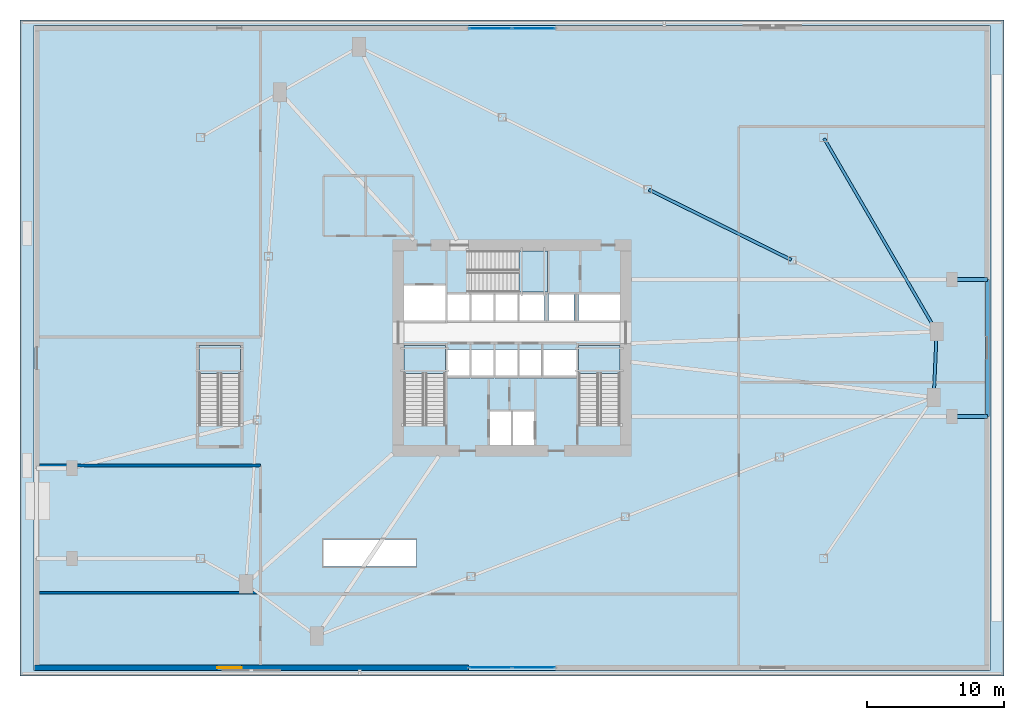
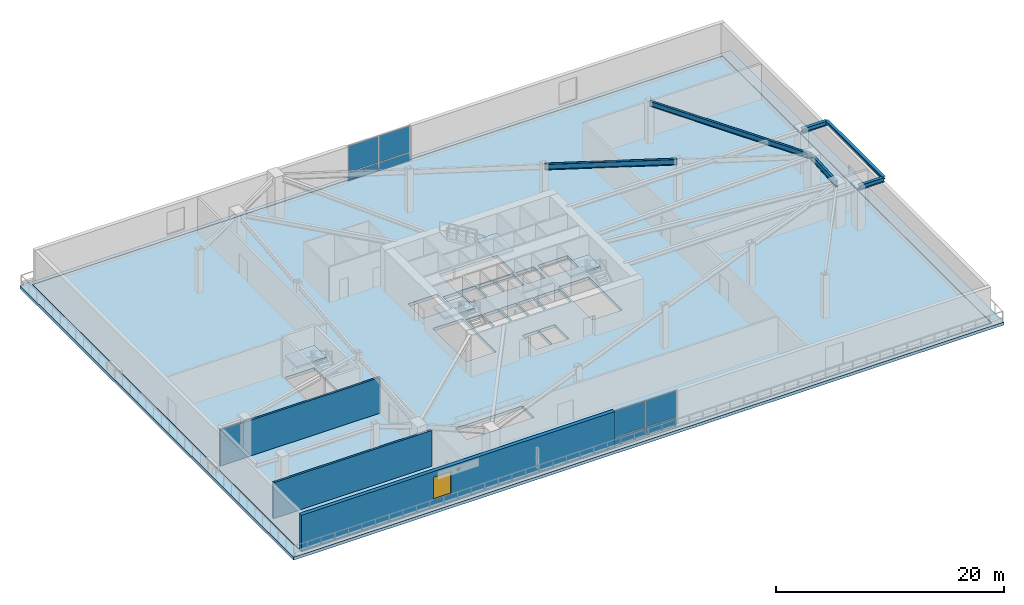
# One storey, part 5 of 14: 8 plates, 6 beams, 6 slabs, 3 walls, 1 window, 1 opening, 6 elements without a shape of their own.
"""IFC4 building model written with IfcOpenShell, lengths in metres."""

import ifcopenshell
import ifcopenshell.guid

model = None  # the IFC model being written
_history = None  # IfcOwnerHistory: only IFC2X3 demands one
_inside = {}  # id of a spatial element -> (the spatial element, [elements in it])
_under = {}  # id of a project, library or spatial element -> (it, [spatial elements below it])
_declared = {}  # id of a project -> (the project, [libraries it declares])
_typed = {}  # id of a type object -> (the type object, [elements of that type])
_made_of = {}  # id of a material, layer set ... -> (it, [elements and type objects made of it])


def new_model(schema):
    """Start an empty IFC model of exactly this schema.

    Asked for "IFC4X3", IfcOpenShell would pick the latest addendum, in which some entities
    have other attributes; the version numbers below select the first issue.
    IFC2X3 requires an IfcOwnerHistory on every rooted entity: one is made here for all.
    """
    global model, _history
    if schema == "IFC4X3":
        model = ifcopenshell.file(schema_version=(4, 3, 0, 0))
    else:
        model = ifcopenshell.file(schema=schema)
    _inside.clear()
    _under.clear()
    _declared.clear()
    _typed.clear()
    _made_of.clear()
    _history = None
    if model.schema == "IFC2X3":
        org = make("IfcOrganization", Name="unknown")
        user = make(
            "IfcPersonAndOrganization",
            ThePerson=make("IfcPerson", FamilyName="unknown"),
            TheOrganization=org,
        )
        app = make(
            "IfcApplication",
            ApplicationDeveloper=org,
            Version="unknown",
            ApplicationFullName="unknown",
            ApplicationIdentifier="unknown",
        )
        _history = make(
            "IfcOwnerHistory",
            OwningUser=user,
            OwningApplication=app,
            ChangeAction="ADDED",
            CreationDate=0,
        )
    return model


def make(cls, **values):
    """One entity of the class cls with the attributes given. An attribute that is None is left unset."""
    return model.create_entity(
        cls, **{name: value for name, value in values.items() if value is not None}
    )


def rooted(cls, **values):
    """An entity with a GlobalId (a new one), such as an element, a storey or a relation."""
    return make(cls, GlobalId=ifcopenshell.guid.new(), OwnerHistory=_history, **values)


def si_unit(unit_type, name, prefix=None):
    """IfcSIUnit, for example si_unit("LENGTHUNIT", "METRE", prefix="MILLI")."""
    return make("IfcSIUnit", UnitType=unit_type, Prefix=prefix, Name=name)


def assignment(units):
    """IfcUnitAssignment: the units of a project."""
    return None if units is None else make("IfcUnitAssignment", Units=units)


def point(xyz):
    """IfcCartesianPoint."""
    return None if xyz is None else make("IfcCartesianPoint", Coordinates=xyz)


def direction(xyz):
    """IfcDirection."""
    return None if xyz is None else make("IfcDirection", DirectionRatios=xyz)


def frame(location, z_axis=None, x_axis=None):
    """IfcAxis2Placement3D, a coordinate frame: its origin and axes. An axis left out is left unset."""
    return make(
        "IfcAxis2Placement3D",
        Location=point(location),
        Axis=direction(z_axis),
        RefDirection=direction(x_axis),
    )


def frame_2d(location, x_axis=None):
    """IfcAxis2Placement2D, a coordinate frame in the plane: its origin and x axis."""
    return make(
        "IfcAxis2Placement2D", Location=point(location), RefDirection=direction(x_axis)
    )


def origin():
    """The frame at (0, 0, 0) with its axes left unset."""
    return frame((0.0, 0.0, 0.0))


def origin_2d():
    """The frame at (0, 0) in the plane with its x axis left unset."""
    return frame_2d((0.0, 0.0))


def place(relative_to, where):
    """IfcLocalPlacement: puts the frame where relative to a parent placement (None: the world)."""
    return make(
        "IfcLocalPlacement", PlacementRelTo=relative_to, RelativePlacement=where
    )


def context(
    kind, dimensions, precision=None, world=None, true_north=None, identifier=None
):
    """IfcGeometricRepresentationContext, for example the 3D "Model" context."""
    return make(
        "IfcGeometricRepresentationContext",
        ContextIdentifier=identifier,
        ContextType=kind,
        CoordinateSpaceDimension=dimensions,
        Precision=precision,
        WorldCoordinateSystem=world,
        TrueNorth=true_north,
    )


def subcontext(parent, identifier, kind, view, scale=None):
    """IfcGeometricRepresentationSubContext, for example "Body" below "Model"."""
    return make(
        "IfcGeometricRepresentationSubContext",
        ContextIdentifier=identifier,
        ContextType=kind,
        ParentContext=parent,
        TargetScale=scale,
        TargetView=view,
    )


def project(units=None, contexts=None):
    """IfcProject with its units and contexts."""
    return rooted(
        "IfcProject",
        Name="project",
        RepresentationContexts=contexts,
        UnitsInContext=assignment(units),
    )


def spatial(cls, under=None, at=None, **own):
    """A site, building, storey or space (cls), placed at a placement, below another one or the project."""
    s = rooted(cls, ObjectPlacement=at, **own)
    if under is not None:
        _under.setdefault(under.id(), (under, []))[1].append(s)
    return s


def polyline(points):
    """IfcPolyline through the points."""
    return make("IfcPolyline", Points=[point(p) for p in points])


def profile(cls, at=None, kind="AREA", **sizes):
    """A parametric profile (cls). Its sizes go by their IFC names, for example OverallWidth=200.0."""
    return make(cls, ProfileType=kind, Position=at, **sizes)


def rectangle(**sizes):
    """IfcRectangleProfileDef."""
    return profile("IfcRectangleProfileDef", **sizes)


def i_section(**sizes):
    """IfcIShapeProfileDef."""
    return profile("IfcIShapeProfileDef", **sizes)


def outline(outer, holes=None, kind="AREA"):
    """IfcArbitraryClosedProfileDef: a profile drawn as a closed curve; with holes, ...WithVoids."""
    if holes is None:
        return make("IfcArbitraryClosedProfileDef", ProfileType=kind, OuterCurve=outer)
    return make(
        "IfcArbitraryProfileDefWithVoids",
        ProfileType=kind,
        OuterCurve=outer,
        InnerCurves=holes,
    )


def extrude(swept, where, along, depth):
    """IfcExtrudedAreaSolid: the profile swept, set in the frame where, extruded along a direction by depth."""
    return make(
        "IfcExtrudedAreaSolid",
        SweptArea=swept,
        Position=where,
        ExtrudedDirection=direction(along),
        Depth=depth,
    )


def shape(context_of_items, identifier, shape_type, items):
    """IfcShapeRepresentation: the items that make up one representation, for example the "Body"."""
    return make(
        "IfcShapeRepresentation",
        ContextOfItems=context_of_items,
        RepresentationIdentifier=identifier,
        RepresentationType=shape_type,
        Items=items,
    )


def source(mapping_origin, context_of_items, identifier, shape_type, items):
    """IfcRepresentationMap: a shape defined once, which mapped items show again and again."""
    return make(
        "IfcRepresentationMap",
        MappingOrigin=mapping_origin,
        MappedRepresentation=shape(context_of_items, identifier, shape_type, items),
    )


def transform(
    local_origin,
    x_axis=None,
    y_axis=None,
    z_axis=None,
    scale=None,
    scale2=None,
    scale3=None,
    uniform=True,
):
    """IfcCartesianTransformationOperator3D, or its non-uniform kind. x_axis, y_axis, z_axis: its Axis1, 2, 3."""
    if uniform:
        return make(
            "IfcCartesianTransformationOperator3D",
            Axis1=direction(x_axis),
            Axis2=direction(y_axis),
            LocalOrigin=point(local_origin),
            Scale=scale,
            Axis3=direction(z_axis),
        )
    return make(
        "IfcCartesianTransformationOperator3DnonUniform",
        Axis1=direction(x_axis),
        Axis2=direction(y_axis),
        LocalOrigin=point(local_origin),
        Scale=scale,
        Axis3=direction(z_axis),
        Scale2=scale2,
        Scale3=scale3,
    )


def mapped(mapping_source, mapping_target):
    """IfcMappedItem: shows the shape of a source again, moved by a transform."""
    return make(
        "IfcMappedItem", MappingSource=mapping_source, MappingTarget=mapping_target
    )


def material(Name=None, Category=None):
    """IfcMaterial."""
    return make("IfcMaterial", Name=Name, Category=Category)


def layer(
    of_material, thickness, ventilated=None, Name=None, Category=None, Priority=None
):
    """IfcMaterialLayer: one layer of a wall or slab, of a material (None: an air gap)."""
    return make(
        "IfcMaterialLayer",
        Material=of_material,
        LayerThickness=thickness,
        IsVentilated=ventilated,
        Name=Name,
        Category=Category,
        Priority=Priority,
    )


def layer_set(layers, Name=None):
    """IfcMaterialLayerSet."""
    return make("IfcMaterialLayerSet", MaterialLayers=layers, LayerSetName=Name)


def material_profile(
    of_material, cross_section, Name=None, Category=None, Priority=None
):
    """IfcMaterialProfile: a cross section and its material."""
    return make(
        "IfcMaterialProfile",
        Name=Name,
        Material=of_material,
        Profile=cross_section,
        Priority=Priority,
        Category=Category,
    )


def profile_set(profiles, Name=None, composite=None):
    """IfcMaterialProfileSet."""
    return make(
        "IfcMaterialProfileSet",
        Name=Name,
        MaterialProfiles=profiles,
        CompositeProfile=composite,
    )


def made_of(thing, what):
    """Note that an element or type object is made of a material, layer set ...; save() writes the relation."""
    if what is not None:
        _made_of.setdefault(what.id(), (what, []))[1].append(thing)
    return thing


def type_object(cls, material=None, **own):
    """A type object (cls), such as IfcWallType, which elements share."""
    return made_of(rooted(cls, **own), material)


def type_shapes(of_type, sources):
    """Give a type object the sources (RepresentationMaps) that its elements show as mapped items."""
    of_type.RepresentationMaps = sources


def element(
    cls,
    number,
    at=None,
    inside=None,
    cuts=None,
    type_object=None,
    material=None,
    context=None,
    identifier="Body",
    shape_type=None,
    held_by="IfcProductDefinitionShape",
    body=None,
    shapes=None,
    **own,
):
    """One element of the class cls, such as IfcWall. Its Tag is "e" and its number.

    at: its placement. inside: the storey or other place that contains it. cuts: it is an
    opening in that element (IfcRelVoidsElement). A single representation is given by context,
    identifier, shape_type and body (its items); several are given by shapes. held_by: the class
    of the entity that holds the representations. save() writes the other relations.
    """
    e = rooted(cls, Tag="e%d" % number, ObjectPlacement=at, **own)
    if body is not None:
        shapes = [shape(context, identifier, shape_type, body)]
    if shapes is not None:
        e.Representation = make(held_by, Representations=shapes)
    if inside is not None:
        _inside.setdefault(inside.id(), (inside, []))[1].append(e)
    if cuts is not None:
        rooted(
            "IfcRelVoidsElement", RelatingBuildingElement=cuts, RelatedOpeningElement=e
        )
    if type_object is not None:
        _typed.setdefault(type_object.id(), (type_object, []))[1].append(e)
    return made_of(e, material)


def fill(opening, filler):
    """IfcRelFillsElement: the door or window that sits in an opening."""
    return rooted(
        "IfcRelFillsElement",
        RelatingOpeningElement=opening,
        RelatedBuildingElement=filler,
    )


def aggregate(whole, parts):
    """IfcRelAggregates: a whole, such as a stair, and the parts it consists of."""
    return rooted("IfcRelAggregates", RelatingObject=whole, RelatedObjects=parts)


def save(model, path):
    """Write the relations noted so far, then the file.

    IfcRelAggregates (storeys below a building ...), IfcRelContainedInSpatialStructure (elements
    in a storey), IfcRelDefinesByType, IfcRelAssociatesMaterial and IfcRelDeclares: one each for
    every whole, place, type object, material and project.
    """
    for whole, parts in _under.values():
        aggregate(whole, parts)
    for where, things in _inside.values():
        rooted(
            "IfcRelContainedInSpatialStructure",
            RelatedElements=things,
            RelatingStructure=where,
        )
    for kind, things in _typed.values():
        rooted("IfcRelDefinesByType", RelatedObjects=things, RelatingType=kind)
    for what, things in _made_of.values():
        rooted("IfcRelAssociatesMaterial", RelatedObjects=things, RelatingMaterial=what)
    for by, libraries in _declared.values():
        rooted("IfcRelDeclares", RelatingContext=by, RelatedDefinitions=libraries)
    model.write(path)


model = new_model("IFC4")

# Units and contexts
model_context = context("Model", 3, precision=1e-05, world=origin(), true_north=direction((0.0, 1.0)))
body_context = subcontext(model_context, "Body", "Model", "MODEL_VIEW")
ifc_project = project(units=[si_unit("LENGTHUNIT", "METRE"), si_unit("AREAUNIT", "SQUARE_METRE"), si_unit("VOLUMEUNIT", "CUBIC_METRE"), si_unit("PLANEANGLEUNIT", "RADIAN"), si_unit("MASSUNIT", "GRAM", prefix="KILO")], contexts=[model_context])

# Site, building, storey
site_placement = place(None, origin())
site = spatial("IfcSite", under=ifc_project, at=site_placement, CompositionType="ELEMENT")
building_placement = place(site_placement, origin())
building = spatial("IfcBuilding", under=site, at=building_placement, Name="Olszyna Solenne Hotel", CompositionType="ELEMENT")
storey_placement = place(building_placement, frame((0.0, 0.0, 5.39990234375)))
storey = spatial("IfcBuildingStorey", under=building, at=storey_placement, Name="L01", CompositionType="ELEMENT", Elevation=5.39990234375)

# Beams
ifc_material_1 = material(Name="Steel S355J2", Category="steel")
ifc_material_profile_1 = material_profile(ifc_material_1, i_section(OverallWidth=0.2099609375, OverallDepth=0.550048828125, WebThickness=0.010986328125, FlangeThickness=0.01708984375, at=origin_2d()), Name="IPE 550", Category="load-bearing")
ifc_profile_set_1 = profile_set([ifc_material_profile_1], Name="Steel S355J2")
beam_type_1 = type_object("IfcBeamType", Name="BM-F2", PredefinedType="BEAM", material=ifc_profile_set_1)
shared_shape_1 = source(origin(), body_context, "Body", "SweptSolid", [
    extrude(i_section(OverallWidth=0.2099609375, OverallDepth=0.550048828125, WebThickness=0.010986328125, FlangeThickness=0.01708984375, at=origin_2d()), origin(), (0.0, 0.0, 1.0), 16.271484375),
])
beam_1_placement = place(storey_placement, frame((60.84033203125, 41.930908203125, 4.205078125), z_axis=(0.503453956375, -0.864022056322, 0.0), x_axis=(0.864022056322, 0.503453956375, 0.0)))
element("IfcBeam", 1, at=beam_1_placement, inside=storey, type_object=beam_type_1, Name="Podium terrace girder BM-F2 B-L01-0088", PredefinedType="BEAM", context=body_context, shape_type="MappedRepresentation", body=[
    mapped(shared_shape_1, transform((0.0, 0.0, 0.0), x_axis=(1.0, 0.0, 0.0), y_axis=(0.0, 1.0, 0.0), z_axis=(0.0, 0.0, 1.0), scale=1.0)),
])
ifc_material_profile_2 = material_profile(ifc_material_1, i_section(OverallWidth=0.300048828125, OverallDepth=0.31005859375, WebThickness=0.009033203125, FlangeThickness=0.015380859375, at=origin_2d()), Name="HEA 320", Category="load-bearing")
ifc_profile_set_2 = profile_set([ifc_material_profile_2], Name="Steel S355J2")
beam_type_2 = type_object("IfcBeamType", Name="BM-G3", PredefinedType="BEAM", material=ifc_profile_set_2)
shared_shape_2 = source(origin(), body_context, "Body", "SweptSolid", [
    extrude(i_section(OverallWidth=0.300048828125, OverallDepth=0.31005859375, WebThickness=0.009033203125, FlangeThickness=0.015380859375, at=origin_2d()), origin(), (0.0, 0.0, 1.0), 10.0),
])
beam_2_placement = place(storey_placement, frame((72.800048828125, 21.60009765625, 4.3251953125), z_axis=(0.0, 1.0, 0.0), x_axis=(-1.0, 0.0, 0.0)))
element("IfcBeam", 2, at=beam_2_placement, inside=storey, type_object=beam_type_2, Name="Terrace East rim beam BM-G3 B-L01-0084", PredefinedType="BEAM", context=body_context, shape_type="MappedRepresentation", body=[
    mapped(shared_shape_2, transform((0.0, 0.0, 0.0), x_axis=(1.0, 0.0, 0.0), y_axis=(0.0, 1.0, 0.0), z_axis=(0.0, 0.0, 1.0), scale=1.0)),
])
ifc_material_profile_3 = material_profile(ifc_material_1, i_section(OverallWidth=0.219970703125, OverallDepth=0.60009765625, WebThickness=0.011962890625, FlangeThickness=0.01904296875, at=origin_2d()), Name="IPE 600", Category="load-bearing")
ifc_profile_set_3 = profile_set([ifc_material_profile_3], Name="Steel S355J2")
beam_type_3 = type_object("IfcBeamType", Name="BM-F1", PredefinedType="BEAM", material=ifc_profile_set_3)
shared_shape_3 = source(origin(), body_context, "Body", "SweptSolid", [
    extrude(i_section(OverallWidth=0.219970703125, OverallDepth=0.60009765625, WebThickness=0.011962890625, FlangeThickness=0.01904296875, at=origin_2d()), origin(), (0.0, 0.0, 1.0), 4.6630859375),
])
beam_3_placement = place(storey_placement, frame((68.86181640625, 23.064453125, 4.18017578125), z_axis=(0.044450544341, 0.999011586073, 0.0), x_axis=(-0.999011586073, 0.044450544341, 0.0)))
element("IfcBeam", 3, at=beam_3_placement, inside=storey, type_object=beam_type_3, Name="Podium ring girder BM-F1 B-L01-0063", PredefinedType="BEAM", context=body_context, shape_type="MappedRepresentation", body=[
    mapped(shared_shape_3, transform((0.0, 0.0, 0.0), x_axis=(1.0, 0.0, 0.0), y_axis=(0.0, 1.0, 0.0), z_axis=(0.0, 0.0, 1.0), scale=1.0)),
])
shared_shape_4 = source(origin(), body_context, "Body", "SweptSolid", [
    extrude(i_section(OverallWidth=0.219970703125, OverallDepth=0.60009765625, WebThickness=0.011962890625, FlangeThickness=0.01904296875, at=origin_2d()), origin(), (0.0, 0.0, 1.0), 11.6201171875),
])
beam_4_placement = place(storey_placement, frame((58.434814453125, 33.048095703125, 4.18017578125), z_axis=(-0.896896785097, 0.442239931352, 0.0), x_axis=(-0.442239931352, -0.896896785097, 0.0)))
element("IfcBeam", 4, at=beam_4_placement, inside=storey, type_object=beam_type_3, Name="Podium ring girder BM-F1 BRG-L01-22", PredefinedType="BEAM", context=body_context, shape_type="MappedRepresentation", body=[
    mapped(shared_shape_4, transform((0.0, 0.0, 0.0), x_axis=(1.0, 0.0, 0.0), y_axis=(0.0, 1.0, 0.0), z_axis=(0.0, 0.0, 1.0), scale=1.0)),
])
ifc_material_profile_4 = material_profile(ifc_material_1, i_section(OverallWidth=0.300048828125, OverallDepth=0.489990234375, WebThickness=0.011962890625, FlangeThickness=0.02294921875, at=origin_2d()), Name="HEA 500", Category="load-bearing")
ifc_profile_set_4 = profile_set([ifc_material_profile_4], Name="Steel S355J2")
beam_type_4 = type_object("IfcBeamType", Name="BM-G1", PredefinedType="BEAM", material=ifc_profile_set_4)
shared_shape_5 = source(origin(), body_context, "Body", "SweptSolid", [
    extrude(i_section(OverallWidth=0.300048828125, OverallDepth=0.489990234375, WebThickness=0.011962890625, FlangeThickness=0.02294921875, at=origin_2d()), origin(), (0.0, 0.0, 1.0), 2.5400390625),
])
for number, where, z_axis, x_axis, name in (
    (5, (70.260009765625, 21.60009765625, 4.235107421875), (1.0, 0.0, 0.0), (0.0, 1.0, 0.0), "Terrace East overhang girder BM-G1 B-L01-0081"),
    (6, (70.260009765625, 31.60009765625, 4.235107421875), (1.0, 0.0, 0.0), (0.0, 1.0, 0.0), "Terrace East overhang girder BM-G1 B-L01-0083"),
):
    element("IfcBeam", number, at=place(storey_placement, frame(where, z_axis=z_axis, x_axis=x_axis)), inside=storey, type_object=beam_type_4, Name=name, PredefinedType="BEAM", context=body_context, shape_type="MappedRepresentation", body=[
        mapped(shared_shape_5, transform((0.0, 0.0, 0.0), x_axis=(1.0, 0.0, 0.0), y_axis=(0.0, 1.0, 0.0), z_axis=(0.0, 0.0, 1.0), scale=1.0)),
    ])

# Stair, slab
ifc_material_2 = material(Name="Concrete C40/50", Category="concrete")
stair_type_1 = type_object("IfcStairType", Name="STR-C1", PredefinedType="TWO_QUARTER_WINDING_STAIR", material=ifc_material_2)
stair_1_placement = place(storey_placement, origin())
stair_1 = element("IfcStair", 7, at=stair_1_placement, inside=storey, type_object=stair_type_1, Name="L01 ST1", PredefinedType="TWO_QUARTER_WINDING_STAIR")
ifc_layer_1 = layer(ifc_material_2, 0.18994140625, Name="Concrete C40/50")
ifc_layer_set_1 = layer_set([ifc_layer_1], Name="Concrete C40/50")
slab_type_1 = type_object("IfcSlabType", Name="SL-LN190", PredefinedType="LANDING", material=ifc_layer_set_1)
slab_1_placement = place(storey_placement, frame((0.0, 0.0, 2.2001953125)))
slab_1 = element("IfcSlab", 8, at=slab_1_placement, type_object=slab_type_1, Name="ST1 landing 1", PredefinedType="LANDING", context=body_context, shape_type="SweptSolid", body=[
    extrude(outline(polyline([(33.1201171875, 24.719970703125), (33.1201171875, 26.800048828125), (30.10009765625, 26.800048828125), (30.10009765625, 24.719970703125), (33.1201171875, 24.719970703125)])), origin(), (0.0, 0.0, 1.0), 0.199951171875),
])
aggregate(stair_1, [slab_1])

stair_2_placement = place(storey_placement, origin())
stair_2 = element("IfcStair", 9, at=stair_2_placement, inside=storey, type_object=stair_type_1, Name="L01 ST2", PredefinedType="TWO_QUARTER_WINDING_STAIR")
slab_2_placement = place(storey_placement, frame((0.0, 0.0, 2.2001953125)))
slab_2 = element("IfcSlab", 10, at=slab_2_placement, type_object=slab_type_1, Name="ST2 landing 1", PredefinedType="LANDING", context=body_context, shape_type="SweptSolid", body=[
    extrude(outline(polyline([(45.89990234375, 24.719970703125), (45.89990234375, 26.800048828125), (42.8798828125, 26.800048828125), (42.8798828125, 24.719970703125), (45.89990234375, 24.719970703125)])), origin(), (0.0, 0.0, 1.0), 0.199951171875),
])
aggregate(stair_2, [slab_2])

stair_3_placement = place(storey_placement, origin())
stair_3 = element("IfcStair", 11, at=stair_3_placement, inside=storey, type_object=stair_type_1, Name="L01 ST3", PredefinedType="TWO_QUARTER_WINDING_STAIR")
slab_3_placement = place(storey_placement, frame((0.0, 0.0, 2.2001953125)))
slab_3 = element("IfcSlab", 12, at=slab_3_placement, type_object=slab_type_1, Name="ST3 landing 1", PredefinedType="LANDING", context=body_context, shape_type="SweptSolid", body=[
    extrude(outline(polyline([(38.5, 30.679931640625), (40.580078125, 30.679931640625), (40.580078125, 33.699951171875), (38.5, 33.699951171875), (38.5, 30.679931640625)])), origin(), (0.0, 0.0, 1.0), 0.199951171875),
])
aggregate(stair_3, [slab_3])

stair_type_2 = type_object("IfcStairType", Name="STR-P1", PredefinedType="TWO_QUARTER_WINDING_STAIR", material=ifc_material_2)
stair_4_placement = place(storey_placement, origin())
stair_4 = element("IfcStair", 13, at=stair_4_placement, inside=storey, type_object=stair_type_2, Name="L01 ST4", PredefinedType="TWO_QUARTER_WINDING_STAIR")
slab_4_placement = place(storey_placement, frame((0.0, 0.0, 2.2001953125)))
slab_4 = element("IfcSlab", 14, at=slab_4_placement, type_object=slab_type_1, Name="ST4 landing 1", PredefinedType="LANDING", context=body_context, shape_type="SweptSolid", body=[
    extrude(outline(polyline([(18.1201171875, 24.719970703125), (18.1201171875, 26.800048828125), (15.10009765625, 26.800048828125), (15.10009765625, 24.719970703125), (18.1201171875, 24.719970703125)])), origin(), (0.0, 0.0, 1.0), 0.199951171875),
])
aggregate(stair_4, [slab_4])

# Slabs
ifc_material_3 = material(Name="Concrete C50/60", Category="concrete")
ifc_layer_2 = layer(ifc_material_3, 0.320068359375, Name="Concrete C50/60")
ifc_layer_set_2 = layer_set([ifc_layer_2], Name="Concrete C50/60")
slab_type_2 = type_object("IfcSlabType", Name="SL-PD320", PredefinedType="FLOOR", material=ifc_layer_set_2)
slab_5_placement = place(storey_placement, frame((0.0, 0.0, -0.31982421875)))
element("IfcSlab", 15, at=slab_5_placement, inside=storey, type_object=slab_type_2, Name="Floor slab SL-PD320 SL-L01-01", PredefinedType="FLOOR", context=body_context, shape_type="SweptSolid", body=[
    extrude(outline(polyline([(3.050048828125, 3.02001953125), (72.949951171875, 3.02001953125), (72.949951171875, 50.179931640625), (3.050048828125, 50.179931640625), (3.050048828125, 3.02001953125)]), holes=[polyline([(30.10009765625, 20.949951171875), (33.1201171875, 20.949951171875), (33.1201171875, 26.800048828125), (30.10009765625, 26.800048828125), (30.10009765625, 20.949951171875)]), polyline([(42.8798828125, 20.949951171875), (45.89990234375, 20.949951171875), (45.89990234375, 26.800048828125), (42.8798828125, 26.800048828125), (42.8798828125, 20.949951171875)]), polyline([(34.72998046875, 30.679931640625), (40.580078125, 30.679931640625), (40.580078125, 33.699951171875), (34.72998046875, 33.699951171875), (34.72998046875, 30.679931640625)]), polyline([(15.10009765625, 20.949951171875), (18.1201171875, 20.949951171875), (18.1201171875, 26.800048828125), (15.10009765625, 26.800048828125), (15.10009765625, 20.949951171875)]), polyline([(36.340087890625, 19.5), (37.9599609375, 19.5), (37.9599609375, 21.9599609375), (36.340087890625, 21.9599609375), (36.340087890625, 19.5)]), polyline([(38.0400390625, 19.5), (39.659912109375, 19.5), (39.659912109375, 21.9599609375), (38.0400390625, 21.9599609375), (38.0400390625, 19.5)]), polyline([(30.10009765625, 28.60009765625), (33.1201171875, 28.60009765625), (33.1201171875, 31.159912109375), (30.10009765625, 31.159912109375), (30.10009765625, 28.60009765625)]), polyline([(33.280029296875, 24.360107421875), (34.89990234375, 24.360107421875), (34.89990234375, 26.5), (33.280029296875, 26.5), (33.280029296875, 24.360107421875)]), polyline([(35.030029296875, 24.360107421875), (36.64990234375, 24.360107421875), (36.64990234375, 26.5), (35.030029296875, 26.5), (35.030029296875, 24.360107421875)]), polyline([(36.780029296875, 24.360107421875), (38.39990234375, 24.360107421875), (38.39990234375, 26.5), (36.780029296875, 26.5), (36.780029296875, 24.360107421875)]), polyline([(38.530029296875, 24.360107421875), (40.14990234375, 24.360107421875), (40.14990234375, 26.5), (38.530029296875, 26.5), (38.530029296875, 24.360107421875)]), polyline([(40.280029296875, 24.360107421875), (42.719970703125, 24.360107421875), (42.719970703125, 26.5), (40.280029296875, 26.5), (40.280029296875, 24.360107421875)]), polyline([(33.280029296875, 28.60009765625), (34.89990234375, 28.60009765625), (34.89990234375, 30.550048828125), (33.280029296875, 30.550048828125), (33.280029296875, 28.60009765625)]), polyline([(35.030029296875, 28.60009765625), (36.64990234375, 28.60009765625), (36.64990234375, 30.550048828125), (35.030029296875, 30.550048828125), (35.030029296875, 28.60009765625)]), polyline([(36.780029296875, 28.60009765625), (38.39990234375, 28.60009765625), (38.39990234375, 30.550048828125), (36.780029296875, 30.550048828125), (36.780029296875, 28.60009765625)]), polyline([(38.530029296875, 28.60009765625), (40.389892578125, 28.60009765625), (40.389892578125, 30.550048828125), (38.530029296875, 30.550048828125), (38.530029296875, 28.60009765625)]), polyline([(40.659912109375, 28.60009765625), (42.52001953125, 28.60009765625), (42.52001953125, 30.550048828125), (40.659912109375, 30.550048828125), (40.659912109375, 28.60009765625)]), polyline([(42.8798828125, 28.60009765625), (45.89990234375, 28.60009765625), (45.89990234375, 30.550048828125), (42.8798828125, 30.550048828125), (42.8798828125, 28.60009765625)]), polyline([(24.199951171875, 10.60009765625), (31.0, 10.60009765625), (31.0, 12.60009765625), (24.199951171875, 12.60009765625), (24.199951171875, 10.60009765625)])]), origin(), (0.0, 0.0, 1.0), 0.31982421875),
])
ifc_material_4 = material(Name="Concrete C45/55", Category="concrete")
ifc_layer_3 = layer(ifc_material_4, 0.239990234375, Name="Concrete C45/55")
ifc_layer_set_3 = layer_set([ifc_layer_3], Name="Concrete C45/55")
slab_type_3 = type_object("IfcSlabType", Name="SL-TER240", PredefinedType="FLOOR", material=ifc_layer_set_3)
slab_6_placement = place(storey_placement, frame((0.0, 0.0, -0.31982421875)))
element("IfcSlab", 16, at=slab_6_placement, inside=storey, type_object=slab_type_3, Name="Cascading planted garden-terrace slab SL-L01-TER1", PredefinedType="FLOOR", context=body_context, shape_type="SweptSolid", body=[
    extrude(outline(polyline([(2.0, 2.60009765625), (74.0, 2.60009765625), (74.0, 50.60009765625), (2.0, 50.60009765625), (2.0, 2.60009765625)]), holes=[polyline([(3.02001953125, 3.01708984375), (3.0205078125, 3.01416015625), (3.021240234375, 3.01123046875), (3.022216796875, 3.008544921875), (3.0234375, 3.005859375), (3.025146484375, 3.00341796875), (3.02685546875, 3.0009765625), (3.02880859375, 2.998779296875), (3.031005859375, 2.996826171875), (3.033203125, 2.9951171875), (3.035888671875, 2.993408203125), (3.03857421875, 2.9921875), (3.041259765625, 2.9912109375), (3.044189453125, 2.990478515625), (3.047119140625, 2.989990234375), (3.050048828125, 2.989990234375), (72.949951171875, 2.989990234375), (72.952880859375, 2.989990234375), (72.955810546875, 2.990478515625), (72.958740234375, 2.9912109375), (72.96142578125, 2.9921875), (72.964111328125, 2.993408203125), (72.966796875, 2.9951171875), (72.968994140625, 2.996826171875), (72.97119140625, 2.998779296875), (72.97314453125, 3.0009765625), (72.974853515625, 3.00341796875), (72.9765625, 3.005859375), (72.977783203125, 3.008544921875), (72.978759765625, 3.01123046875), (72.9794921875, 3.01416015625), (72.97998046875, 3.01708984375), (72.97998046875, 3.02001953125), (72.97998046875, 50.179931640625), (72.97998046875, 50.182861328125), (72.9794921875, 50.185791015625), (72.978759765625, 50.188720703125), (72.977783203125, 50.19140625), (72.9765625, 50.194091796875), (72.974853515625, 50.19677734375), (72.97314453125, 50.198974609375), (72.97119140625, 50.201171875), (72.968994140625, 50.203125), (72.966796875, 50.204833984375), (72.964111328125, 50.20654296875), (72.96142578125, 50.207763671875), (72.958740234375, 50.208740234375), (72.955810546875, 50.20947265625), (72.952880859375, 50.2099609375), (72.949951171875, 50.2099609375), (3.050048828125, 50.2099609375), (3.047119140625, 50.2099609375), (3.044189453125, 50.20947265625), (3.041259765625, 50.208740234375), (3.03857421875, 50.207763671875), (3.035888671875, 50.20654296875), (3.033203125, 50.204833984375), (3.031005859375, 50.203125), (3.02880859375, 50.201171875), (3.02685546875, 50.198974609375), (3.025146484375, 50.19677734375), (3.0234375, 50.194091796875), (3.022216796875, 50.19140625), (3.021240234375, 50.188720703125), (3.0205078125, 50.185791015625), (3.02001953125, 50.182861328125), (3.02001953125, 50.179931640625), (3.02001953125, 3.02001953125), (3.02001953125, 3.01708984375)])]), origin(), (0.0, 0.0, 1.0), 0.31982421875),
])

# Curtain wall, plates
ifc_material_5 = material(Name="Anodised bronze aluminium", Category="aluminium")
curtain_wall_type = type_object("IfcCurtainWallType", Name="CW-SYS-1", PredefinedType="NOTDEFINED", material=ifc_material_5)
curtain_wall_1_placement = place(storey_placement, origin())
curtain_wall_1 = element("IfcCurtainWall", 17, at=curtain_wall_1_placement, inside=storey, type_object=curtain_wall_type, Name="Unitised curtain wall CW-SYS-1 CW-L01-01", PredefinedType="NOTDEFINED")
ifc_material_6 = material(Name="Terracotta cladding", Category="masonry")
plate_type_1 = type_object("IfcPlateType", Name="PN-SP1", PredefinedType="CURTAIN_PANEL", material=ifc_material_6)
shared_shape_6 = source(origin(), body_context, "Body", "SweptSolid", [
    extrude(rectangle(XDim=3.080078125, YDim=0.048095703125, at=origin_2d()), origin(), (0.0, 0.0, 1.0), 0.83740234375),
])
plate_1_placement = place(storey_placement, frame((36.419921875, 3.2099609375, 0.0751953125), z_axis=(0.0, 0.0, 1.0), x_axis=(1.0, 0.0, 0.0)))
plate_1 = element("IfcPlate", 18, at=plate_1_placement, type_object=plate_type_1, Name="Curtain-wall panel PN-SP1 CP-L01-01-01", PredefinedType="CURTAIN_PANEL", context=body_context, shape_type="MappedRepresentation", body=[
    mapped(shared_shape_6, transform((0.0, 0.0, 0.0), x_axis=(1.0, 0.0, 0.0), y_axis=(0.0, 1.0, 0.0), z_axis=(0.0, 0.0, 1.0), scale=1.0)),
])
plate_2_placement = place(storey_placement, frame((39.580078125, 3.2099609375, 0.0751953125), z_axis=(0.0, 0.0, 1.0), x_axis=(1.0, 0.0, 0.0)))
plate_2 = element("IfcPlate", 19, at=plate_2_placement, type_object=plate_type_1, Name="Curtain-wall panel PN-SP1 CP-L01-01-03", PredefinedType="CURTAIN_PANEL", context=body_context, shape_type="MappedRepresentation", body=[
    mapped(shared_shape_6, transform((0.0, 0.0, 0.0), x_axis=(1.0, 0.0, 0.0), y_axis=(0.0, 1.0, 0.0), z_axis=(0.0, 0.0, 1.0), scale=1.0)),
])

curtain_wall_2_placement = place(storey_placement, origin())
curtain_wall_2 = element("IfcCurtainWall", 20, at=curtain_wall_2_placement, inside=storey, type_object=curtain_wall_type, Name="Unitised curtain wall CW-SYS-1 CW-L01-02", PredefinedType="NOTDEFINED")
plate_3_placement = place(storey_placement, frame((36.419921875, 49.989990234375, 0.0751953125), z_axis=(0.0, 0.0, 1.0), x_axis=(1.0, 0.0, 0.0)))
plate_3 = element("IfcPlate", 21, at=plate_3_placement, type_object=plate_type_1, Name="Curtain-wall panel PN-SP1 CP-L01-02-01", PredefinedType="CURTAIN_PANEL", context=body_context, shape_type="MappedRepresentation", body=[
    mapped(shared_shape_6, transform((0.0, 0.0, 0.0), x_axis=(1.0, 0.0, 0.0), y_axis=(0.0, 1.0, 0.0), z_axis=(0.0, 0.0, 1.0), scale=1.0)),
])
plate_4_placement = place(storey_placement, frame((39.580078125, 49.989990234375, 0.0751953125), z_axis=(0.0, 0.0, 1.0), x_axis=(1.0, 0.0, 0.0)))
plate_4 = element("IfcPlate", 22, at=plate_4_placement, type_object=plate_type_1, Name="Curtain-wall panel PN-SP1 CP-L01-02-03", PredefinedType="CURTAIN_PANEL", context=body_context, shape_type="MappedRepresentation", body=[
    mapped(shared_shape_6, transform((0.0, 0.0, 0.0), x_axis=(1.0, 0.0, 0.0), y_axis=(0.0, 1.0, 0.0), z_axis=(0.0, 0.0, 1.0), scale=1.0)),
])

# Plate
ifc_material_7 = material(Name="Low-E triple glazing", Category="glass")
plate_type_2 = type_object("IfcPlateType", Name="PN-GL2", PredefinedType="CURTAIN_PANEL", material=ifc_material_7)
shared_shape_7 = source(origin(), body_context, "Body", "SweptSolid", [
    extrude(rectangle(XDim=3.080078125, YDim=0.048095703125, at=origin_2d()), origin(), (0.0, 0.0, 1.0), 2.8095703125),
])
plate_5_placement = place(storey_placement, frame((36.419921875, 3.2099609375, 0.987548828125), z_axis=(0.0, 0.0, 1.0), x_axis=(1.0, 0.0, 0.0)))
plate_5 = element("IfcPlate", 23, at=plate_5_placement, type_object=plate_type_2, Name="Curtain-wall panel PN-GL2 CP-L01-01-02", PredefinedType="CURTAIN_PANEL", context=body_context, shape_type="MappedRepresentation", body=[
    mapped(shared_shape_7, transform((0.0, 0.0, 0.0), x_axis=(1.0, 0.0, 0.0), y_axis=(0.0, 1.0, 0.0), z_axis=(0.0, 0.0, 1.0), scale=1.0)),
])

plate_6_placement = place(storey_placement, frame((39.580078125, 3.2099609375, 0.987548828125), z_axis=(0.0, 0.0, 1.0), x_axis=(1.0, 0.0, 0.0)))
plate_6 = element("IfcPlate", 24, at=plate_6_placement, type_object=plate_type_2, Name="Curtain-wall panel PN-GL2 CP-L01-01-04", PredefinedType="CURTAIN_PANEL", context=body_context, shape_type="MappedRepresentation", body=[
    mapped(shared_shape_7, transform((0.0, 0.0, 0.0), x_axis=(1.0, 0.0, 0.0), y_axis=(0.0, 1.0, 0.0), z_axis=(0.0, 0.0, 1.0), scale=1.0)),
])

aggregate(curtain_wall_1, [plate_1, plate_5, plate_2, plate_6])

plate_7_placement = place(storey_placement, frame((36.419921875, 49.989990234375, 0.987548828125), z_axis=(0.0, 0.0, 1.0), x_axis=(1.0, 0.0, 0.0)))
plate_7 = element("IfcPlate", 25, at=plate_7_placement, type_object=plate_type_2, Name="Curtain-wall panel PN-GL2 CP-L01-02-02", PredefinedType="CURTAIN_PANEL", context=body_context, shape_type="MappedRepresentation", body=[
    mapped(shared_shape_7, transform((0.0, 0.0, 0.0), x_axis=(1.0, 0.0, 0.0), y_axis=(0.0, 1.0, 0.0), z_axis=(0.0, 0.0, 1.0), scale=1.0)),
])

plate_8_placement = place(storey_placement, frame((39.580078125, 49.989990234375, 0.987548828125), z_axis=(0.0, 0.0, 1.0), x_axis=(1.0, 0.0, 0.0)))
plate_8 = element("IfcPlate", 26, at=plate_8_placement, type_object=plate_type_2, Name="Curtain-wall panel PN-GL2 CP-L01-02-04", PredefinedType="CURTAIN_PANEL", context=body_context, shape_type="MappedRepresentation", body=[
    mapped(shared_shape_7, transform((0.0, 0.0, 0.0), x_axis=(1.0, 0.0, 0.0), y_axis=(0.0, 1.0, 0.0), z_axis=(0.0, 0.0, 1.0), scale=1.0)),
])

aggregate(curtain_wall_2, [plate_3, plate_7, plate_4, plate_8])

# Wall, opening, window
ifc_material_8 = material(Name="Terracotta cladding on precast concrete C45/55", Category="masonry")
ifc_layer_4 = layer(ifc_material_8, 0.3798828125, Name="Terracotta cladding on precast concrete C45/55")
ifc_layer_set_4 = layer_set([ifc_layer_4], Name="Terracotta cladding on precast concrete C45/55")
wall_type_1 = type_object("IfcWallType", Name="WL-EX380", PredefinedType="SOLIDWALL", material=ifc_layer_set_4)
wall_1_placement = place(storey_placement, frame((34.800048828125, 3.2099609375, 0.0), z_axis=(0.0, 0.0, 1.0), x_axis=(-1.0, 0.0, 0.0)))
wall_1 = element("IfcWall", 27, at=wall_1_placement, inside=storey, type_object=wall_type_1, Name="Podium terracotta-precast exterior wall EW-L01-SW", PredefinedType="SOLIDWALL", context=body_context, shape_type="SweptSolid", body=[
    extrude(rectangle(XDim=31.75, YDim=0.3798828125, at=frame_2d((15.875, 0.0))), origin(), (0.0, 0.0, 1.0), 3.8720703125),
])
opening_placement = place(wall_1_placement, frame((16.574951171875, 0.0, 0.85009765625)))
opening = element("IfcOpeningElement", 28, at=opening_placement, cuts=wall_1, Name="Opening WN-L01-006", PredefinedType="OPENING", context=body_context, shape_type="SweptSolid", body=[
    extrude(rectangle(XDim=1.800048828125, YDim=2.39990234375, at=frame_2d((0.89990234375, 1.199951171875))), frame((0.0, 0.199951171875, 0.0), z_axis=(0.0, -1.0, 0.0), x_axis=(1.0, 0.0, 0.0)), (0.0, 0.0, 1.0), 0.39990234375),
])
window_type = type_object("IfcWindowType", Name="WN-PD2", PartitioningType="SINGLE_PANEL", PredefinedType="WINDOW", material=ifc_material_7)
shared_shape_8 = source(origin(), body_context, "Body", "SweptSolid", [
    extrude(rectangle(XDim=1.800048828125, YDim=2.39990234375, at=frame_2d((0.89990234375, 1.199951171875))), frame((0.0, 0.030029296875, 0.0), z_axis=(0.0, -1.0, 0.0), x_axis=(1.0, 0.0, 0.0)), (0.0, 0.0, 1.0), 0.06005859375),
])
type_shapes(window_type, [shared_shape_8])
window_placement = place(opening_placement, origin())
window = element("IfcWindow", 29, at=window_placement, inside=storey, type_object=window_type, Name="Podium triple-glazed window WN-PD2 WN-L01-006", OverallHeight=2.39990234375, OverallWidth=1.800048828125, PartitioningType="SINGLE_PANEL", PredefinedType="WINDOW", context=body_context, shape_type="MappedRepresentation", body=[
    mapped(shared_shape_8, transform((0.0, 0.0, 0.0), x_axis=(1.0, 0.0, 0.0), y_axis=(0.0, 1.0, 0.0), z_axis=(0.0, 0.0, 1.0), scale=1.0)),
])
fill(opening, window)

# Walls
ifc_material_9 = material(Name="Acoustic gypsum partition", Category="gypsum")
ifc_layer_5 = layer(ifc_material_9, 0.199951171875, Name="Acoustic gypsum partition")
ifc_layer_set_5 = layer_set([ifc_layer_5], Name="Acoustic gypsum partition")
wall_type_2 = type_object("IfcWallType", Name="WL-PT200", PredefinedType="PARTITIONING", material=ifc_layer_set_5)
wall_2_placement = place(storey_placement, frame((3.429931640625, 8.699951171875, 0.0), z_axis=(0.0, 0.0, 1.0), x_axis=(1.0, 0.0, 0.0)))
element("IfcWall", 30, at=wall_2_placement, inside=storey, type_object=wall_type_2, Name="Interior acoustic partition WL-PT200 PW-L01-0136", PredefinedType="PARTITIONING", context=body_context, shape_type="SweptSolid", body=[
    extrude(rectangle(XDim=16.050048828125, YDim=0.199951171875, at=frame_2d((8.02490234375, 0.0))), origin(), (0.0, 0.0, 1.0), 3.830078125),
])
wall_3_placement = place(storey_placement, frame((3.429931640625, 18.0, 0.0), z_axis=(0.0, 0.0, 1.0), x_axis=(1.0, 0.0, 0.0)))
element("IfcWall", 31, at=wall_3_placement, inside=storey, type_object=wall_type_2, Name="Interior acoustic partition WL-PT200 PW-L01-0137", PredefinedType="PARTITIONING", context=body_context, shape_type="SweptSolid", body=[
    extrude(rectangle(XDim=16.170166015625, YDim=0.199951171875, at=frame_2d((8.0849609375, 0.0))), origin(), (0.0, 0.0, 1.0), 3.830078125),
])

save(model, "model.ifc")
